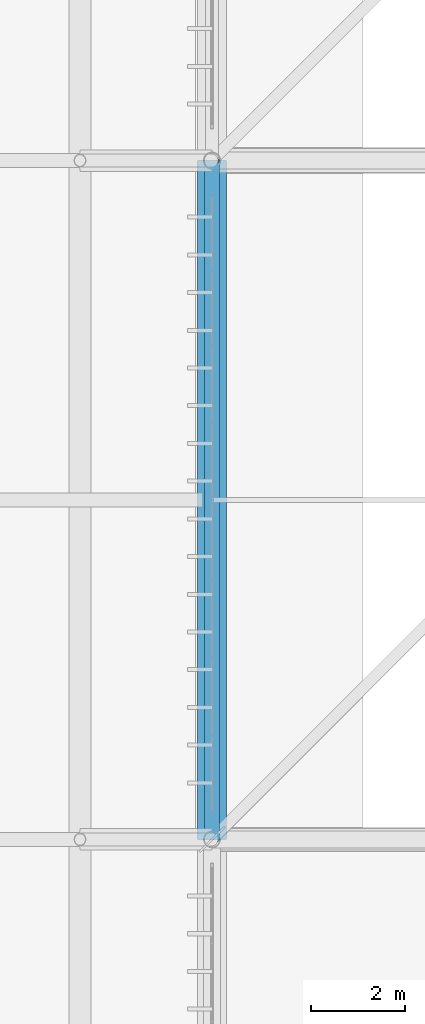
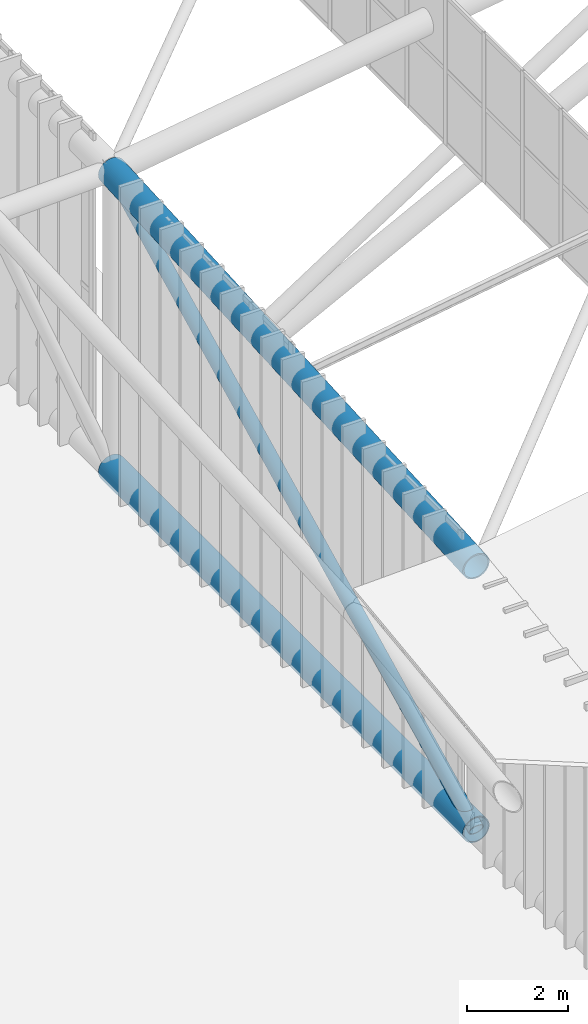
# One storey, part 63 of 397: 2 beams, 1 member.
"""IFC4 building model written with IfcOpenShell, lengths in metres."""

from ifc_helpers import new_model, si_unit, direction, frame, origin, origin_2d, place, context, subcontext, project, spatial, hollow_circle, extrude, material, material_profile, profile_set, type_object, element, save


model = new_model("IFC4")

# Units and contexts
model_context = context("Model", 3, precision=1e-05, world=origin(), true_north=direction((0.0, 1.0)))
body_context = subcontext(model_context, "Body", "Model", "MODEL_VIEW")
ifc_project = project(units=[si_unit("LENGTHUNIT", "METRE"), si_unit("AREAUNIT", "SQUARE_METRE"), si_unit("VOLUMEUNIT", "CUBIC_METRE"), si_unit("PLANEANGLEUNIT", "RADIAN"), si_unit("MASSUNIT", "GRAM", prefix="KILO")], contexts=[model_context])

# Site, building, storey
site_placement = place(None, origin())
site = spatial("IfcSite", under=ifc_project, at=site_placement, CompositionType="ELEMENT")
building_placement = place(site_placement, origin())
building = spatial("IfcBuilding", under=site, at=building_placement, Name="Qandorah Velis Arena", CompositionType="ELEMENT")
storey_placement = place(building_placement, frame((0.0, 0.0, 27.5)))
storey = spatial("IfcBuildingStorey", under=building, at=storey_placement, Name="RF", CompositionType="ELEMENT", Elevation=27.5)

# Beams
ifc_material_1 = material(Name="Steel S460", Category="steel")
ifc_material_profile_1 = material_profile(ifc_material_1, hollow_circle(Radius=0.304931640625, WallThickness=0.02490234375, at=origin_2d()), Name="CHS 610x25")
ifc_profile_set_1 = profile_set([ifc_material_profile_1], Name="Steel S460")
beam_type_1 = type_object("IfcBeamType", Name="STR-SFC-CHS610X25", PredefinedType="USERDEFINED", material=ifc_profile_set_1)
beam_1_placement = place(storey_placement, frame((14.39990234375, 43.199951171875, 0.10009765625), z_axis=(0.0, 1.0, 0.0), x_axis=(-1.0, 0.0, 0.0)))
element("IfcBeam", 1, at=beam_1_placement, inside=storey, type_object=beam_type_1, Name="Space frame roof truss bottom chord Y 0.2", ObjectType="ROOF TRUSS", PredefinedType="USERDEFINED", context=body_context, shape_type="SweptSolid", body=[
    extrude(hollow_circle(Radius=0.304931640625, WallThickness=0.02490234375, at=origin_2d()), origin(), (0.0, 0.0, 1.0), 14.400146484375),
])
ifc_material_profile_2 = material_profile(ifc_material_1, hollow_circle(Radius=0.304931640625, WallThickness=0.031982421875, at=origin_2d()), Name="CHS 610x32")
ifc_profile_set_2 = profile_set([ifc_material_profile_2], Name="Steel S460")
beam_type_2 = type_object("IfcBeamType", Name="STR-SFC-CHS610X32", PredefinedType="USERDEFINED", material=ifc_profile_set_2)
beam_2_placement = place(storey_placement, frame((14.39990234375, 43.199951171875, 6.448486328125), z_axis=(0.0, 0.998374665681, 0.056991463631), x_axis=(-1.0, 0.0, 0.0)))
element("IfcBeam", 2, at=beam_2_placement, inside=storey, type_object=beam_type_2, Name="Space frame roof truss top chord Y 0.2", ObjectType="ROOF TRUSS", PredefinedType="USERDEFINED", context=body_context, shape_type="SweptSolid", body=[
    extrude(hollow_circle(Radius=0.304931640625, WallThickness=0.031982421875, at=origin_2d()), origin(), (0.0, 0.0, 1.0), 14.423583984375),
])

# Member
ifc_material_2 = material(Name="Steel S355", Category="steel")
ifc_material_profile_3 = material_profile(ifc_material_2, hollow_circle(Radius=0.161865234375, WallThickness=0.012451171875, at=origin_2d()), Name="CHS 323.9x12.5")
ifc_profile_set_3 = profile_set([ifc_material_profile_3], Name="Steel S355")
member_type = type_object("IfcMemberType", Name="STR-SFD-CHS323X12", PredefinedType="CHORD", material=ifc_profile_set_3)
member_placement = place(storey_placement, frame((14.39990234375, 43.199951171875, 0.10009765625), z_axis=(0.0, 0.89516355905, 0.445737818173), x_axis=(-1.0, 0.0, 0.0)))
element("IfcMember", 3, at=member_placement, inside=storey, type_object=member_type, Name="Space frame roof diagonal Y 0.2", PredefinedType="CHORD", context=body_context, shape_type="SweptSolid", body=[
    extrude(hollow_circle(Radius=0.161865234375, WallThickness=0.012451171875, at=origin_2d()), origin(), (0.0, 0.0, 1.0), 16.086669921875),
])

save(model, "model.ifc")
